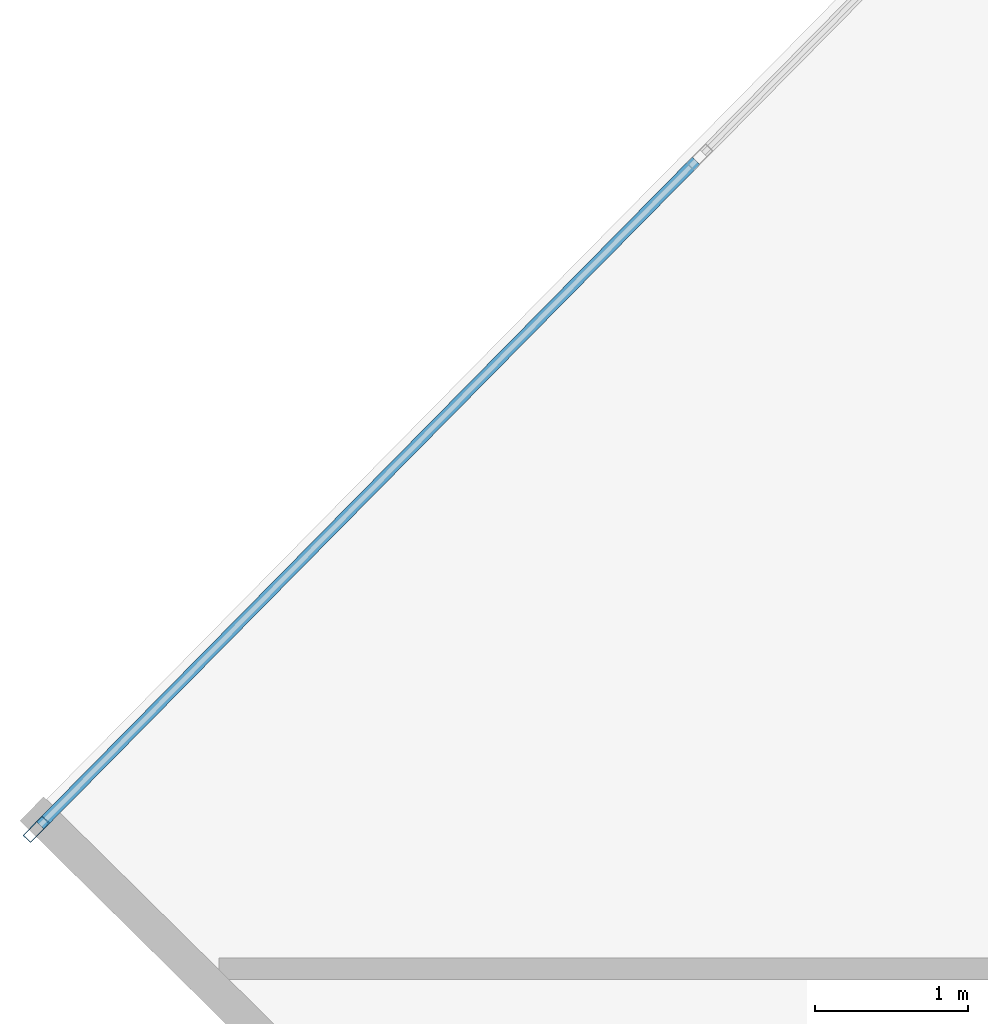
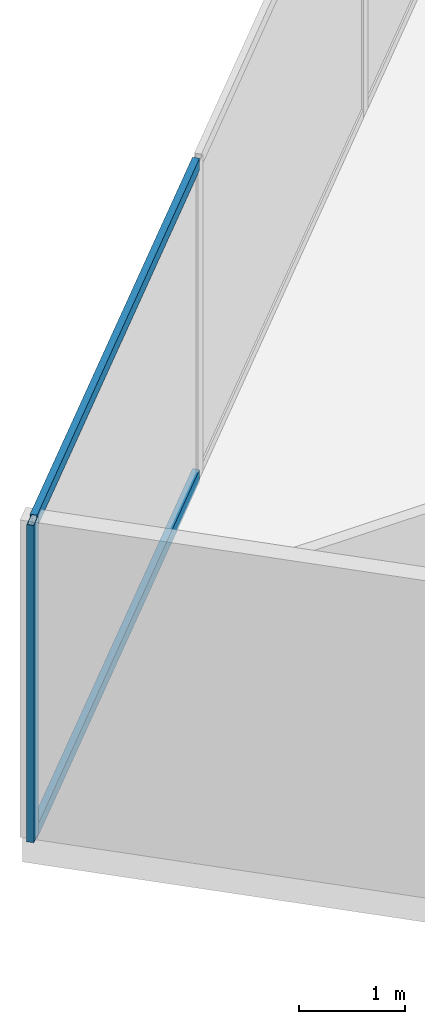
# One storey, part 7 of 24: 3 members, 1 element without a shape of its own.
"""IFC4 building model written with IfcOpenShell, lengths in metres."""

from ifc_helpers import new_model, si_unit, direction, frame, origin, origin_2d, place, context, subcontext, project, spatial, hollow_rectangle, extrude, source, transform, mapped, material, material_profile, profile_set, type_object, type_shapes, element, aggregate, save


model = new_model("IFC4")

# Units and contexts
model_context = context("Model", 3, precision=1e-05, world=origin(), true_north=direction((0.0, 1.0)))
body_context = subcontext(model_context, "Body", "Model", "MODEL_VIEW")
ifc_project = project(units=[si_unit("LENGTHUNIT", "METRE"), si_unit("AREAUNIT", "SQUARE_METRE"), si_unit("VOLUMEUNIT", "CUBIC_METRE"), si_unit("PLANEANGLEUNIT", "RADIAN"), si_unit("MASSUNIT", "GRAM", prefix="KILO")], contexts=[model_context])

# Site, building, storey
site_placement = place(None, origin())
site = spatial("IfcSite", under=ifc_project, at=site_placement, CompositionType="ELEMENT")
building_placement = place(site_placement, origin())
building = spatial("IfcBuilding", under=site, at=building_placement, Name="Krantzveldt Concourse Tower", CompositionType="ELEMENT")
storey_placement = place(building_placement, frame((0.0, 0.0, 231.0)))
storey = spatial("IfcBuildingStorey", under=building, at=storey_placement, Name="L56", CompositionType="ELEMENT", Elevation=231.0)

# Curtain wall, members
ifc_material = material(Name="Anodised aluminium 6063-T6", Category="aluminium")
curtain_wall_type = type_object("IfcCurtainWallType", Name="CW3", PredefinedType="USERDEFINED", material=ifc_material)
curtain_wall_placement = place(storey_placement, origin())
curtain_wall = element("IfcCurtainWall", 1, at=curtain_wall_placement, inside=storey, type_object=curtain_wall_type, Name="CW-L56-F01", ObjectType="UNITISED CURTAIN WALL", PredefinedType="USERDEFINED")
ifc_material_profile_1 = material_profile(ifc_material, hollow_rectangle(XDim=0.070068359375, YDim=0.179931640625, WallThickness=0.0048828125, at=origin_2d()), Name="Anodised aluminium 6063-T6", Category="aluminium")
ifc_profile_set_1 = profile_set([ifc_material_profile_1], Name="Anodised aluminium 6063-T6 - ALU-MULL 180x70x5")
member_type_1 = type_object("IfcMemberType", Name="CW-MUL-180", PredefinedType="MULLION", material=ifc_profile_set_1)
shared_shape_1 = source(origin(), body_context, "Body", "SweptSolid", [
    extrude(hollow_rectangle(XDim=0.070068359375, YDim=0.179931640625, WallThickness=0.0048828125, at=origin_2d()), origin(), (0.0, 0.0, 1.0), 3.669921875),
])
type_shapes(member_type_1, [shared_shape_1])
member_1_placement = place(storey_placement, frame((10.610107421875, 30.030517578125, 0.0), z_axis=(0.0, 0.0, 1.0), x_axis=(0.711719700179, -0.702463570854, 0.0)))
member_1 = element("IfcMember", 2, at=member_1_placement, type_object=member_type_1, Name="CW-Z34 mullion 6", PredefinedType="MULLION", context=body_context, shape_type="MappedRepresentation", body=[
    mapped(shared_shape_1, transform((0.0, 0.0, 0.0), x_axis=(1.0, 0.0, 0.0), y_axis=(0.0, 1.0, 0.0), z_axis=(0.0, 0.0, 1.0), scale=1.0)),
])
ifc_material_profile_2 = material_profile(ifc_material, hollow_rectangle(XDim=0.070068359375, YDim=0.139892578125, WallThickness=0.0048828125, at=origin_2d()), Name="Anodised aluminium 6063-T6", Category="aluminium")
ifc_profile_set_2 = profile_set([ifc_material_profile_2], Name="Anodised aluminium 6063-T6 - ALU-TRAN 140x70x5")
member_type_2 = type_object("IfcMemberType", Name="CW-TRN-150", PredefinedType="USERDEFINED", material=ifc_profile_set_2)
shared_shape_2 = source(origin(), body_context, "Body", "SweptSolid", [
    extrude(hollow_rectangle(XDim=0.070068359375, YDim=0.139892578125, WallThickness=0.0048828125, at=origin_2d()), origin(), (0.0, 0.0, 1.0), 6.094970703125),
])
type_shapes(member_type_2, [shared_shape_2])
member_2_placement = place(storey_placement, frame((14.916259765625, 34.393310546875, 0.034912109375), z_axis=(-0.702465157511, -0.711718134154, 0.0), x_axis=(0.711718134154, -0.702465157511, 0.0)))
member_2 = element("IfcMember", 3, at=member_2_placement, type_object=member_type_2, Name="CW-Z34 transom 5.1", ObjectType="TRANSOM", PredefinedType="USERDEFINED", context=body_context, shape_type="MappedRepresentation", body=[
    mapped(shared_shape_2, transform((0.0, 0.0, 0.0), x_axis=(1.0, 0.0, 0.0), y_axis=(0.0, 1.0, 0.0), z_axis=(0.0, 0.0, 1.0), scale=1.0)),
])
member_3_placement = place(storey_placement, frame((14.916259765625, 34.393310546875, 3.635009765625), z_axis=(-0.702465157511, -0.711718134154, 0.0), x_axis=(0.711718134154, -0.702465157511, 0.0)))
member_3 = element("IfcMember", 4, at=member_3_placement, type_object=member_type_2, Name="CW-Z34 transom 5.2", ObjectType="TRANSOM", PredefinedType="USERDEFINED", context=body_context, shape_type="MappedRepresentation", body=[
    mapped(shared_shape_2, transform((0.0, 0.0, 0.0), x_axis=(1.0, 0.0, 0.0), y_axis=(0.0, 1.0, 0.0), z_axis=(0.0, 0.0, 1.0), scale=1.0)),
])
aggregate(curtain_wall, [member_1, member_2, member_3])

save(model, "model.ifc")
